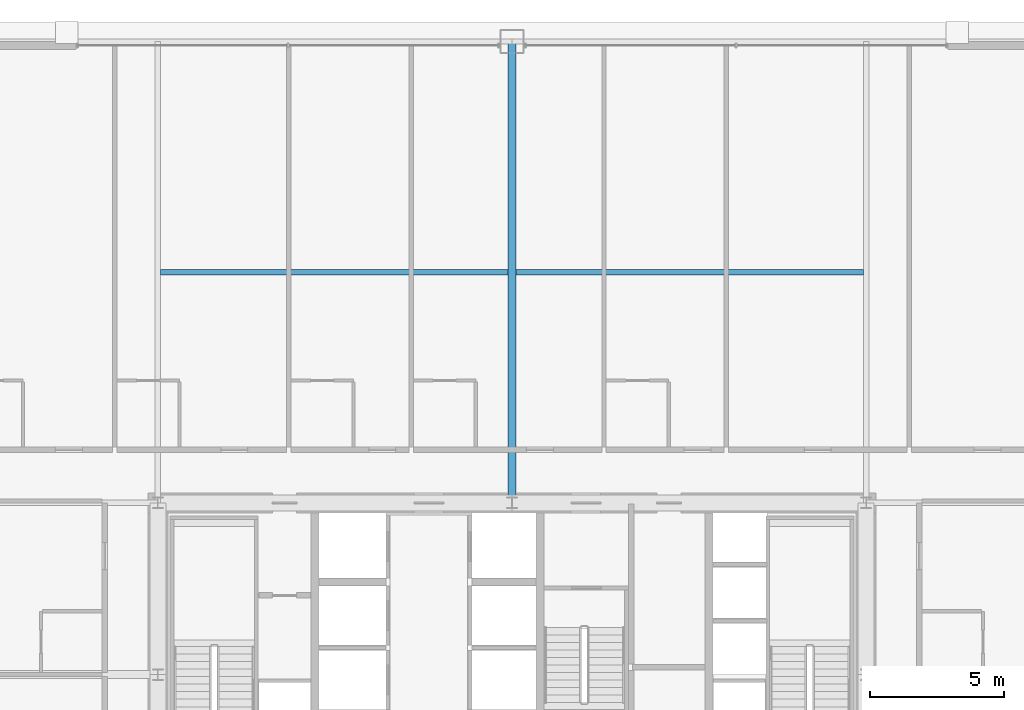
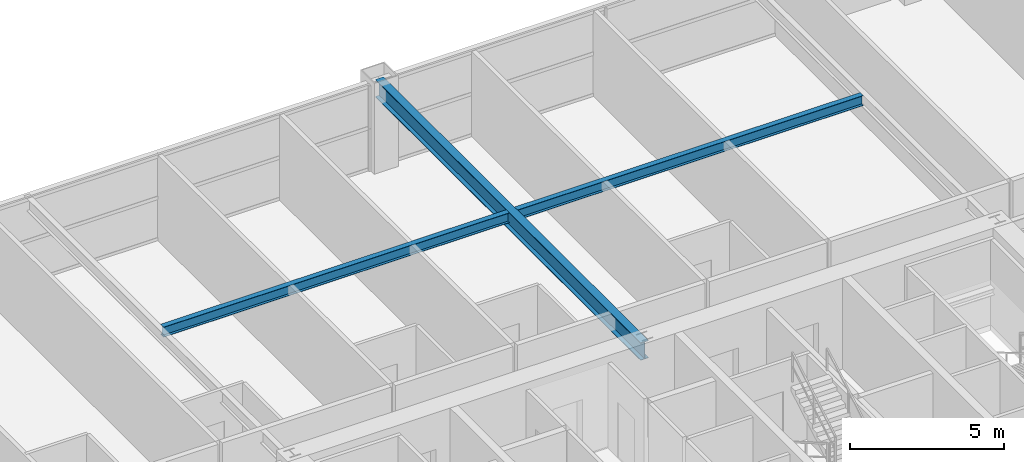
# One storey, part 25 of 38: 3 beams.
"""IFC4 building model written with IfcOpenShell, lengths in metres."""

import ifcopenshell
import ifcopenshell.guid

model = None  # the IFC model being written
_history = None  # IfcOwnerHistory: only IFC2X3 demands one
_inside = {}  # id of a spatial element -> (the spatial element, [elements in it])
_under = {}  # id of a project, library or spatial element -> (it, [spatial elements below it])
_declared = {}  # id of a project -> (the project, [libraries it declares])
_typed = {}  # id of a type object -> (the type object, [elements of that type])
_made_of = {}  # id of a material, layer set ... -> (it, [elements and type objects made of it])


def new_model(schema):
    """Start an empty IFC model of exactly this schema.

    Asked for "IFC4X3", IfcOpenShell would pick the latest addendum, in which some entities
    have other attributes; the version numbers below select the first issue.
    IFC2X3 requires an IfcOwnerHistory on every rooted entity: one is made here for all.
    """
    global model, _history
    if schema == "IFC4X3":
        model = ifcopenshell.file(schema_version=(4, 3, 0, 0))
    else:
        model = ifcopenshell.file(schema=schema)
    _inside.clear()
    _under.clear()
    _declared.clear()
    _typed.clear()
    _made_of.clear()
    _history = None
    if model.schema == "IFC2X3":
        org = make("IfcOrganization", Name="unknown")
        user = make(
            "IfcPersonAndOrganization",
            ThePerson=make("IfcPerson", FamilyName="unknown"),
            TheOrganization=org,
        )
        app = make(
            "IfcApplication",
            ApplicationDeveloper=org,
            Version="unknown",
            ApplicationFullName="unknown",
            ApplicationIdentifier="unknown",
        )
        _history = make(
            "IfcOwnerHistory",
            OwningUser=user,
            OwningApplication=app,
            ChangeAction="ADDED",
            CreationDate=0,
        )
    return model


def make(cls, **values):
    """One entity of the class cls with the attributes given. An attribute that is None is left unset."""
    return model.create_entity(
        cls, **{name: value for name, value in values.items() if value is not None}
    )


def rooted(cls, **values):
    """An entity with a GlobalId (a new one), such as an element, a storey or a relation."""
    return make(cls, GlobalId=ifcopenshell.guid.new(), OwnerHistory=_history, **values)


def si_unit(unit_type, name, prefix=None):
    """IfcSIUnit, for example si_unit("LENGTHUNIT", "METRE", prefix="MILLI")."""
    return make("IfcSIUnit", UnitType=unit_type, Prefix=prefix, Name=name)


def assignment(units):
    """IfcUnitAssignment: the units of a project."""
    return None if units is None else make("IfcUnitAssignment", Units=units)


def point(xyz):
    """IfcCartesianPoint."""
    return None if xyz is None else make("IfcCartesianPoint", Coordinates=xyz)


def direction(xyz):
    """IfcDirection."""
    return None if xyz is None else make("IfcDirection", DirectionRatios=xyz)


def frame(location, z_axis=None, x_axis=None):
    """IfcAxis2Placement3D, a coordinate frame: its origin and axes. An axis left out is left unset."""
    return make(
        "IfcAxis2Placement3D",
        Location=point(location),
        Axis=direction(z_axis),
        RefDirection=direction(x_axis),
    )


def frame_2d(location, x_axis=None):
    """IfcAxis2Placement2D, a coordinate frame in the plane: its origin and x axis."""
    return make(
        "IfcAxis2Placement2D", Location=point(location), RefDirection=direction(x_axis)
    )


def origin():
    """The frame at (0, 0, 0) with its axes left unset."""
    return frame((0.0, 0.0, 0.0))


def origin_2d():
    """The frame at (0, 0) in the plane with its x axis left unset."""
    return frame_2d((0.0, 0.0))


def place(relative_to, where):
    """IfcLocalPlacement: puts the frame where relative to a parent placement (None: the world)."""
    return make(
        "IfcLocalPlacement", PlacementRelTo=relative_to, RelativePlacement=where
    )


def context(
    kind, dimensions, precision=None, world=None, true_north=None, identifier=None
):
    """IfcGeometricRepresentationContext, for example the 3D "Model" context."""
    return make(
        "IfcGeometricRepresentationContext",
        ContextIdentifier=identifier,
        ContextType=kind,
        CoordinateSpaceDimension=dimensions,
        Precision=precision,
        WorldCoordinateSystem=world,
        TrueNorth=true_north,
    )


def subcontext(parent, identifier, kind, view, scale=None):
    """IfcGeometricRepresentationSubContext, for example "Body" below "Model"."""
    return make(
        "IfcGeometricRepresentationSubContext",
        ContextIdentifier=identifier,
        ContextType=kind,
        ParentContext=parent,
        TargetScale=scale,
        TargetView=view,
    )


def project(units=None, contexts=None):
    """IfcProject with its units and contexts."""
    return rooted(
        "IfcProject",
        Name="project",
        RepresentationContexts=contexts,
        UnitsInContext=assignment(units),
    )


def spatial(cls, under=None, at=None, **own):
    """A site, building, storey or space (cls), placed at a placement, below another one or the project."""
    s = rooted(cls, ObjectPlacement=at, **own)
    if under is not None:
        _under.setdefault(under.id(), (under, []))[1].append(s)
    return s


def profile(cls, at=None, kind="AREA", **sizes):
    """A parametric profile (cls). Its sizes go by their IFC names, for example OverallWidth=200.0."""
    return make(cls, ProfileType=kind, Position=at, **sizes)


def i_section(**sizes):
    """IfcIShapeProfileDef."""
    return profile("IfcIShapeProfileDef", **sizes)


def extrude(swept, where, along, depth):
    """IfcExtrudedAreaSolid: the profile swept, set in the frame where, extruded along a direction by depth."""
    return make(
        "IfcExtrudedAreaSolid",
        SweptArea=swept,
        Position=where,
        ExtrudedDirection=direction(along),
        Depth=depth,
    )


def shape(context_of_items, identifier, shape_type, items):
    """IfcShapeRepresentation: the items that make up one representation, for example the "Body"."""
    return make(
        "IfcShapeRepresentation",
        ContextOfItems=context_of_items,
        RepresentationIdentifier=identifier,
        RepresentationType=shape_type,
        Items=items,
    )


def source(mapping_origin, context_of_items, identifier, shape_type, items):
    """IfcRepresentationMap: a shape defined once, which mapped items show again and again."""
    return make(
        "IfcRepresentationMap",
        MappingOrigin=mapping_origin,
        MappedRepresentation=shape(context_of_items, identifier, shape_type, items),
    )


def transform(
    local_origin,
    x_axis=None,
    y_axis=None,
    z_axis=None,
    scale=None,
    scale2=None,
    scale3=None,
    uniform=True,
):
    """IfcCartesianTransformationOperator3D, or its non-uniform kind. x_axis, y_axis, z_axis: its Axis1, 2, 3."""
    if uniform:
        return make(
            "IfcCartesianTransformationOperator3D",
            Axis1=direction(x_axis),
            Axis2=direction(y_axis),
            LocalOrigin=point(local_origin),
            Scale=scale,
            Axis3=direction(z_axis),
        )
    return make(
        "IfcCartesianTransformationOperator3DnonUniform",
        Axis1=direction(x_axis),
        Axis2=direction(y_axis),
        LocalOrigin=point(local_origin),
        Scale=scale,
        Axis3=direction(z_axis),
        Scale2=scale2,
        Scale3=scale3,
    )


def mapped(mapping_source, mapping_target):
    """IfcMappedItem: shows the shape of a source again, moved by a transform."""
    return make(
        "IfcMappedItem", MappingSource=mapping_source, MappingTarget=mapping_target
    )


def material(Name=None, Category=None):
    """IfcMaterial."""
    return make("IfcMaterial", Name=Name, Category=Category)


def material_profile(
    of_material, cross_section, Name=None, Category=None, Priority=None
):
    """IfcMaterialProfile: a cross section and its material."""
    return make(
        "IfcMaterialProfile",
        Name=Name,
        Material=of_material,
        Profile=cross_section,
        Priority=Priority,
        Category=Category,
    )


def profile_set(profiles, Name=None, composite=None):
    """IfcMaterialProfileSet."""
    return make(
        "IfcMaterialProfileSet",
        Name=Name,
        MaterialProfiles=profiles,
        CompositeProfile=composite,
    )


def made_of(thing, what):
    """Note that an element or type object is made of a material, layer set ...; save() writes the relation."""
    if what is not None:
        _made_of.setdefault(what.id(), (what, []))[1].append(thing)
    return thing


def type_object(cls, material=None, **own):
    """A type object (cls), such as IfcWallType, which elements share."""
    return made_of(rooted(cls, **own), material)


def element(
    cls,
    number,
    at=None,
    inside=None,
    cuts=None,
    type_object=None,
    material=None,
    context=None,
    identifier="Body",
    shape_type=None,
    held_by="IfcProductDefinitionShape",
    body=None,
    shapes=None,
    **own,
):
    """One element of the class cls, such as IfcWall. Its Tag is "e" and its number.

    at: its placement. inside: the storey or other place that contains it. cuts: it is an
    opening in that element (IfcRelVoidsElement). A single representation is given by context,
    identifier, shape_type and body (its items); several are given by shapes. held_by: the class
    of the entity that holds the representations. save() writes the other relations.
    """
    e = rooted(cls, Tag="e%d" % number, ObjectPlacement=at, **own)
    if body is not None:
        shapes = [shape(context, identifier, shape_type, body)]
    if shapes is not None:
        e.Representation = make(held_by, Representations=shapes)
    if inside is not None:
        _inside.setdefault(inside.id(), (inside, []))[1].append(e)
    if cuts is not None:
        rooted(
            "IfcRelVoidsElement", RelatingBuildingElement=cuts, RelatedOpeningElement=e
        )
    if type_object is not None:
        _typed.setdefault(type_object.id(), (type_object, []))[1].append(e)
    return made_of(e, material)


def aggregate(whole, parts):
    """IfcRelAggregates: a whole, such as a stair, and the parts it consists of."""
    return rooted("IfcRelAggregates", RelatingObject=whole, RelatedObjects=parts)


def save(model, path):
    """Write the relations noted so far, then the file.

    IfcRelAggregates (storeys below a building ...), IfcRelContainedInSpatialStructure (elements
    in a storey), IfcRelDefinesByType, IfcRelAssociatesMaterial and IfcRelDeclares: one each for
    every whole, place, type object, material and project.
    """
    for whole, parts in _under.values():
        aggregate(whole, parts)
    for where, things in _inside.values():
        rooted(
            "IfcRelContainedInSpatialStructure",
            RelatedElements=things,
            RelatingStructure=where,
        )
    for kind, things in _typed.values():
        rooted("IfcRelDefinesByType", RelatedObjects=things, RelatingType=kind)
    for what, things in _made_of.values():
        rooted("IfcRelAssociatesMaterial", RelatedObjects=things, RelatingMaterial=what)
    for by, libraries in _declared.values():
        rooted("IfcRelDeclares", RelatingContext=by, RelatedDefinitions=libraries)
    model.write(path)


model = new_model("IFC4")

# Units and contexts
model_context = context("Model", 3, precision=1e-05, world=origin(), true_north=direction((0.0, 1.0)))
body_context = subcontext(model_context, "Body", "Model", "MODEL_VIEW")
ifc_project = project(units=[si_unit("LENGTHUNIT", "METRE"), si_unit("AREAUNIT", "SQUARE_METRE"), si_unit("VOLUMEUNIT", "CUBIC_METRE"), si_unit("PLANEANGLEUNIT", "RADIAN"), si_unit("MASSUNIT", "GRAM", prefix="KILO"), si_unit("THERMODYNAMICTEMPERATUREUNIT", "KELVIN"), si_unit("POWERUNIT", "WATT")], contexts=[model_context])

# Site, building, storey
site_placement = place(None, origin())
site = spatial("IfcSite", under=ifc_project, at=site_placement, CompositionType="ELEMENT")
building_placement = place(site_placement, origin())
building = spatial("IfcBuilding", under=site, at=building_placement, Name="Yuzanri Waterfront Tower", CompositionType="ELEMENT")
storey_placement = place(building_placement, frame((0.0, 0.0, 90.199951171875)))
storey = spatial("IfcBuildingStorey", under=building, at=storey_placement, Name="L23", CompositionType="ELEMENT", Elevation=90.199951171875)

# Beams
ifc_material_1 = material(Name="Steel Q355B", Category="steel")
ifc_material_profile_1 = material_profile(ifc_material_1, i_section(OverallWidth=0.199951171875, OverallDepth=0.39990234375, WebThickness=0.008056640625, FlangeThickness=0.012939453125, at=origin_2d()), Name="HN 400x200x8x13")
ifc_profile_set_1 = profile_set([ifc_material_profile_1], Name="Steel Q355B")
beam_type_1 = type_object("IfcBeamType", Name="Floor Joist Q355B HN 400x200", PredefinedType="JOIST", material=ifc_profile_set_1)
shared_shape_1 = source(origin(), body_context, "Body", "SweptSolid", [
    extrude(i_section(OverallWidth=0.199951171875, OverallDepth=0.39990234375, WebThickness=0.008056640625, FlangeThickness=0.012939453125, at=origin_2d()), origin(), (0.0, 0.0, 1.0), 12.9501953125),
])
for number, where, z_axis, x_axis, name in (
    (1, (23.89990234375, 40.800048828125, 3.179931640625), (1.0, 0.0, 0.0), (0.0, 1.0, 0.0), "L23 North Bay Joist W"),
    (2, (37.14990234375, 40.800048828125, 3.179931640625), (1.0, 0.0, 0.0), (0.0, 1.0, 0.0), "L23 North Bay Joist E"),
):
    element("IfcBeam", number, at=place(storey_placement, frame(where, z_axis=z_axis, x_axis=x_axis)), inside=storey, type_object=beam_type_1, Name=name, PredefinedType="JOIST", context=body_context, shape_type="MappedRepresentation", body=[
        mapped(shared_shape_1, transform((0.0, 0.0, 0.0), scale=1.0)),
    ])
ifc_material_2 = material(Name="Steel Q355B", Category="steel")
ifc_material_profile_2 = material_profile(ifc_material_2, i_section(OverallWidth=0.300048828125, OverallDepth=0.699951171875, WebThickness=0.012939453125, FlangeThickness=0.02392578125, at=origin_2d()), Name="HN 700x300x13x24")
ifc_profile_set_2 = profile_set([ifc_material_profile_2], Name="Steel Q355B")
beam_type_2 = type_object("IfcBeamType", Name="Primary Floor Girder Q355B HN 700x300", PredefinedType="BEAM", material=ifc_profile_set_2)
shared_shape_2 = source(origin(), body_context, "Body", "SweptSolid", [
    extrude(i_section(OverallWidth=0.300048828125, OverallDepth=0.699951171875, WebThickness=0.012939453125, FlangeThickness=0.02392578125, at=origin_2d()), origin(), (0.0, 0.0, 1.0), 17.199951171875),
])
beam_placement = place(storey_placement, frame((37.0, 32.199951171875, 3.030029296875), z_axis=(0.0, 1.0, 0.0), x_axis=(-1.0, 0.0, 0.0)))
element("IfcBeam", 3, at=beam_placement, inside=storey, type_object=beam_type_2, Name="L23 North Grid Girder", PredefinedType="BEAM", context=body_context, shape_type="MappedRepresentation", body=[
    mapped(shared_shape_2, transform((0.0, 0.0, 0.0), scale=1.0)),
])

save(model, "model.ifc")
